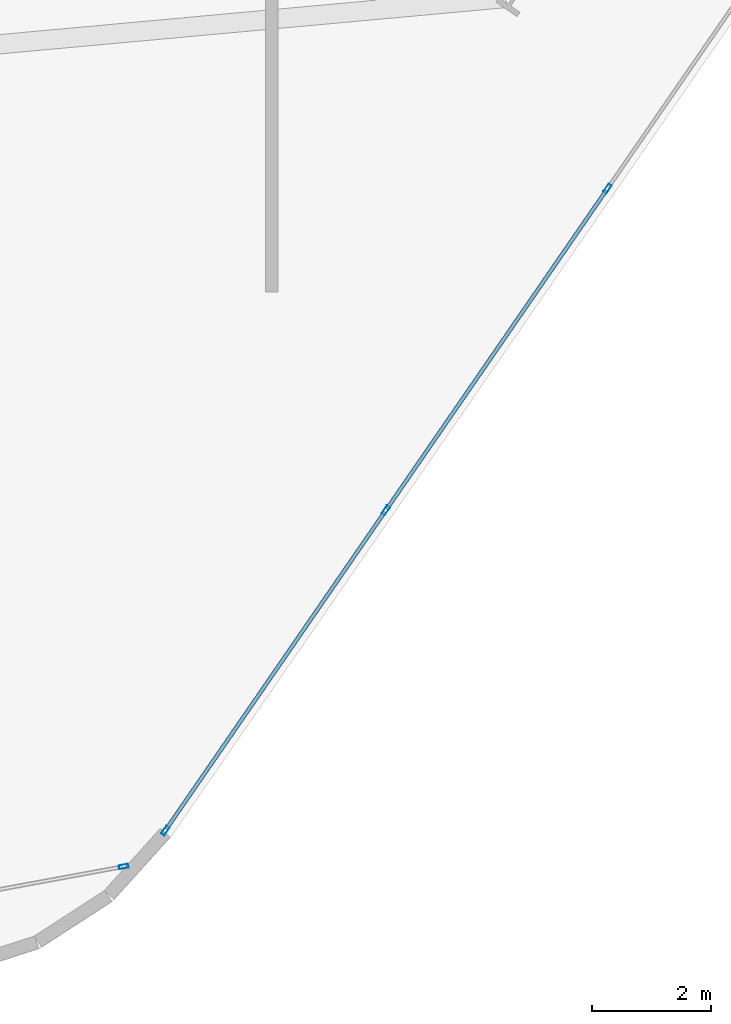
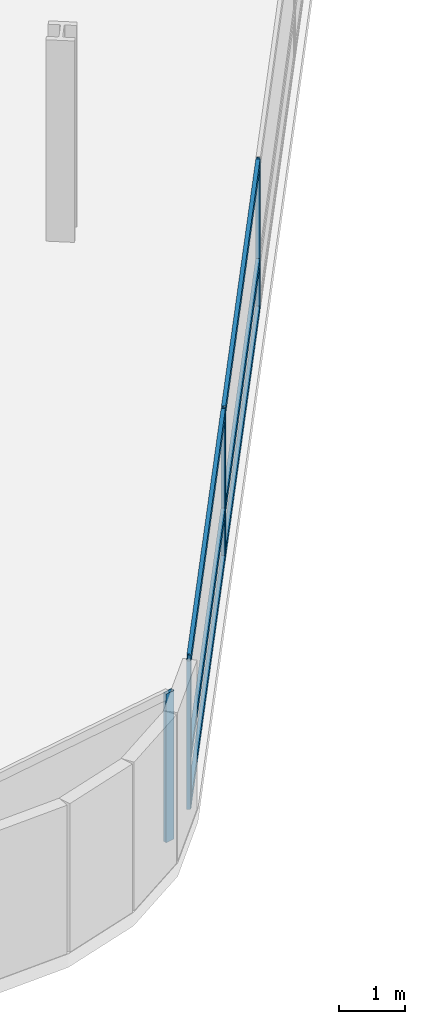
# One storey, part 8 of 26: 10 members, 2 elements without a shape of their own.
"""IFC4 building model written with IfcOpenShell, lengths in metres."""

from ifc_helpers import new_model, si_unit, direction, frame, origin, origin_2d, place, context, subcontext, project, spatial, hollow_rectangle, extrude, material, layer, layer_set, material_profile, profile_set, type_object, element, aggregate, save


model = new_model("IFC4")

# Units and contexts
model_context = context("Model", 3, precision=1e-05, world=origin(), true_north=direction((0.0, 1.0)))
body_context = subcontext(model_context, "Body", "Model", "MODEL_VIEW")
ifc_project = project(units=[si_unit("LENGTHUNIT", "METRE"), si_unit("AREAUNIT", "SQUARE_METRE"), si_unit("VOLUMEUNIT", "CUBIC_METRE"), si_unit("PLANEANGLEUNIT", "RADIAN"), si_unit("MASSUNIT", "GRAM", prefix="KILO")], contexts=[model_context])

# Site, building, storey
site_placement = place(None, origin())
site = spatial("IfcSite", under=ifc_project, at=site_placement, CompositionType="ELEMENT")
building_placement = place(site_placement, origin())
building = spatial("IfcBuilding", under=site, at=building_placement, Name="Varnelok Gate Tower", CompositionType="ELEMENT")
storey_placement = place(building_placement, frame((0.0, 0.0, 45.5)))
storey = spatial("IfcBuildingStorey", under=building, at=storey_placement, Name="L10", CompositionType="ELEMENT", Elevation=45.5)

# Curtain wall, members
ifc_material = material(Name="Anodized Aluminum Alloy 6063-T6", Category="aluminium")
ifc_layer_1 = layer(ifc_material, 0.179931640625)
ifc_layer_set_1 = layer_set([ifc_layer_1], Name="Anodized Aluminum Alloy 6063-T6")
curtain_wall_type_1 = type_object("IfcCurtainWallType", Name="CW3-HOTEL-VISION", PredefinedType="USERDEFINED", material=ifc_layer_set_1)
curtain_wall_1_placement = place(storey_placement, origin())
curtain_wall_1 = element("IfcCurtainWall", 1, at=curtain_wall_1_placement, inside=storey, type_object=curtain_wall_type_1, Name="L10 East End Vision Curtain Wall", ObjectType="UNITISED CURTAIN WALL", PredefinedType="USERDEFINED")
ifc_material_profile_1 = material_profile(ifc_material, hollow_rectangle(XDim=0.06494140625, YDim=0.159912109375, WallThickness=0.00390625, at=origin_2d()), Name="ALU160X65X4")
ifc_profile_set_1 = profile_set([ifc_material_profile_1], Name="Anodized Aluminum Alloy 6063-T6")
member_type_1 = type_object("IfcMemberType", Name="CW-MULL-160", PredefinedType="MULLION", material=ifc_profile_set_1)
member_1_placement = place(storey_placement, frame((67.64208984375, -2.265380859375, 0.0), z_axis=(0.0, 0.0, 1.0), x_axis=(0.823532685111, -0.567268822124, 0.0)))
member_1 = element("IfcMember", 2, at=member_1_placement, type_object=member_type_1, Name="CW3 mullion 5", PredefinedType="MULLION", context=body_context, shape_type="SweptSolid", body=[
    extrude(hollow_rectangle(XDim=0.06494140625, YDim=0.159912109375, WallThickness=0.00390625, at=origin_2d()), origin(), (0.0, 0.0, 1.0), 2.72998046875),
])
member_2_placement = place(storey_placement, frame((63.9169921875, -7.67333984375, 0.0), z_axis=(0.0, 0.0, 1.0), x_axis=(0.823532685111, -0.567268822124, 0.0)))
member_2 = element("IfcMember", 3, at=member_2_placement, type_object=member_type_1, Name="CW3 mullion 6", PredefinedType="MULLION", context=body_context, shape_type="SweptSolid", body=[
    extrude(hollow_rectangle(XDim=0.06494140625, YDim=0.159912109375, WallThickness=0.00390625, at=origin_2d()), origin(), (0.0, 0.0, 1.0), 2.72998046875),
])
member_3_placement = place(storey_placement, frame((60.21044921875, -13.054443359375, 0.0), z_axis=(0.0, 0.0, 1.0), x_axis=(0.823532685111, -0.567268822124, 0.0)))
member_3 = element("IfcMember", 4, at=member_3_placement, type_object=member_type_1, Name="CW3 mullion 7", PredefinedType="MULLION", context=body_context, shape_type="SweptSolid", body=[
    extrude(hollow_rectangle(XDim=0.06494140625, YDim=0.159912109375, WallThickness=0.00390625, at=origin_2d()), origin(), (0.0, 0.0, 1.0), 2.72998046875),
])

# Curtain wall, member
ifc_layer_2 = layer(ifc_material, 0.179931640625)
ifc_layer_set_2 = layer_set([ifc_layer_2], Name="Anodized Aluminum Alloy 6063-T6")
curtain_wall_type_2 = type_object("IfcCurtainWallType", Name="CW5-WINDCORNER-GLAZ", PredefinedType="USERDEFINED", material=ifc_layer_set_2)
curtain_wall_2_placement = place(storey_placement, origin())
curtain_wall_2 = element("IfcCurtainWall", 5, at=curtain_wall_2_placement, inside=storey, type_object=curtain_wall_type_2, Name="L10 Wind-Shaped Corner Curtain Wall SE", ObjectType="STRUCTURAL GLAZING", PredefinedType="USERDEFINED")
member_4_placement = place(storey_placement, frame((59.510498046875, -13.65966796875, 0.0), z_axis=(0.0, 0.0, 1.0), x_axis=(-0.181203239917, 0.983445670001, 0.0)))
member_4 = element("IfcMember", 6, at=member_4_placement, type_object=member_type_1, Name="CW5 mullion 2", PredefinedType="MULLION", context=body_context, shape_type="SweptSolid", body=[
    extrude(hollow_rectangle(XDim=0.06494140625, YDim=0.159912109375, WallThickness=0.00390625, at=origin_2d()), origin(), (0.0, 0.0, 1.0), 2.72998046875),
])
aggregate(curtain_wall_2, [member_4])

# Member
ifc_material_profile_2 = material_profile(ifc_material, hollow_rectangle(XDim=0.06494140625, YDim=0.159912109375, WallThickness=0.00390625, at=origin_2d()), Name="ALU160X65X4")
ifc_profile_set_2 = profile_set([ifc_material_profile_2], Name="Anodized Aluminum Alloy 6063-T6")
member_type_2 = type_object("IfcMemberType", Name="CW-TRAN-160", PredefinedType="USERDEFINED", material=ifc_profile_set_2)
member_5_placement = place(storey_placement, frame((67.623779296875, -2.292236328125, 0.032470703125), z_axis=(-0.567279204469, -0.823525533409, 0.0), x_axis=(0.823525533409, -0.567279204469, 0.0)))
member_5 = element("IfcMember", 7, at=member_5_placement, type_object=member_type_2, Name="CW3 transom 5.1", ObjectType="TRANSOM", PredefinedType="USERDEFINED", context=body_context, shape_type="SweptSolid", body=[
    extrude(hollow_rectangle(XDim=0.06494140625, YDim=0.159912109375, WallThickness=0.00390625, at=origin_2d()), origin(), (0.0, 0.0, 1.0), 6.501708984375),
])

member_6_placement = place(storey_placement, frame((67.623779296875, -2.292236328125, 0.89990234375), z_axis=(-0.567279204469, -0.823525533409, 0.0), x_axis=(0.823525533409, -0.567279204469, 0.0)))
member_6 = element("IfcMember", 8, at=member_6_placement, type_object=member_type_2, Name="CW3 transom 5.2", ObjectType="TRANSOM", PredefinedType="USERDEFINED", context=body_context, shape_type="SweptSolid", body=[
    extrude(hollow_rectangle(XDim=0.06494140625, YDim=0.159912109375, WallThickness=0.00390625, at=origin_2d()), origin(), (0.0, 0.0, 1.0), 6.501708984375),
])

member_7_placement = place(storey_placement, frame((67.623779296875, -2.292236328125, 2.697509765625), z_axis=(-0.567279204469, -0.823525533409, 0.0), x_axis=(0.823525533409, -0.567279204469, 0.0)))
member_7 = element("IfcMember", 9, at=member_7_placement, type_object=member_type_2, Name="CW3 transom 5.3", ObjectType="TRANSOM", PredefinedType="USERDEFINED", context=body_context, shape_type="SweptSolid", body=[
    extrude(hollow_rectangle(XDim=0.06494140625, YDim=0.159912109375, WallThickness=0.00390625, at=origin_2d()), origin(), (0.0, 0.0, 1.0), 6.501708984375),
])

member_8_placement = place(storey_placement, frame((63.898681640625, -7.699951171875, 0.032470703125), z_axis=(-0.567281349446, -0.823524055854, 0.0), x_axis=(0.823524055854, -0.567281349446, 0.0)))
member_8 = element("IfcMember", 10, at=member_8_placement, type_object=member_type_2, Name="CW3 transom 6.1", ObjectType="TRANSOM", PredefinedType="USERDEFINED", context=body_context, shape_type="SweptSolid", body=[
    extrude(hollow_rectangle(XDim=0.06494140625, YDim=0.159912109375, WallThickness=0.00390625, at=origin_2d()), origin(), (0.0, 0.0, 1.0), 6.46923828125),
])

member_9_placement = place(storey_placement, frame((63.898681640625, -7.699951171875, 0.89990234375), z_axis=(-0.567281349446, -0.823524055854, 0.0), x_axis=(0.823524055854, -0.567281349446, 0.0)))
member_9 = element("IfcMember", 11, at=member_9_placement, type_object=member_type_2, Name="CW3 transom 6.2", ObjectType="TRANSOM", PredefinedType="USERDEFINED", context=body_context, shape_type="SweptSolid", body=[
    extrude(hollow_rectangle(XDim=0.06494140625, YDim=0.159912109375, WallThickness=0.00390625, at=origin_2d()), origin(), (0.0, 0.0, 1.0), 6.46923828125),
])

member_10_placement = place(storey_placement, frame((63.898681640625, -7.699951171875, 2.697509765625), z_axis=(-0.567281349446, -0.823524055854, 0.0), x_axis=(0.823524055854, -0.567281349446, 0.0)))
member_10 = element("IfcMember", 12, at=member_10_placement, type_object=member_type_2, Name="CW3 transom 6.3", ObjectType="TRANSOM", PredefinedType="USERDEFINED", context=body_context, shape_type="SweptSolid", body=[
    extrude(hollow_rectangle(XDim=0.06494140625, YDim=0.159912109375, WallThickness=0.00390625, at=origin_2d()), origin(), (0.0, 0.0, 1.0), 6.46923828125),
])

aggregate(curtain_wall_1, [member_1, member_2, member_3, member_5, member_6, member_7, member_8, member_9, member_10])

save(model, "model.ifc")
